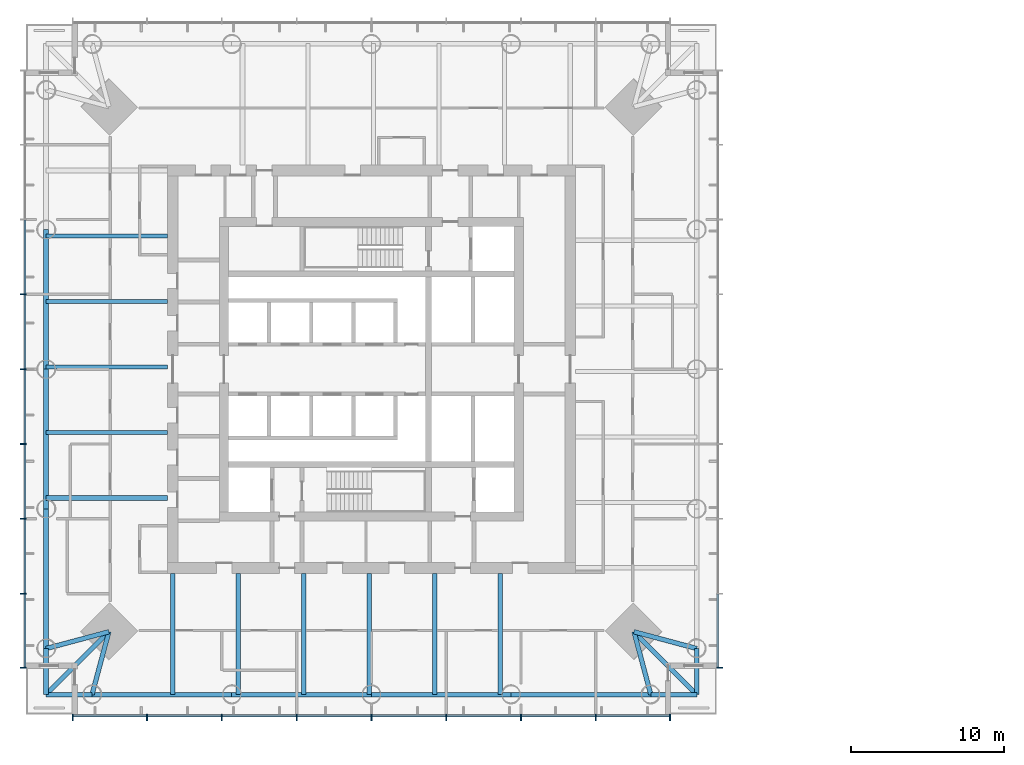
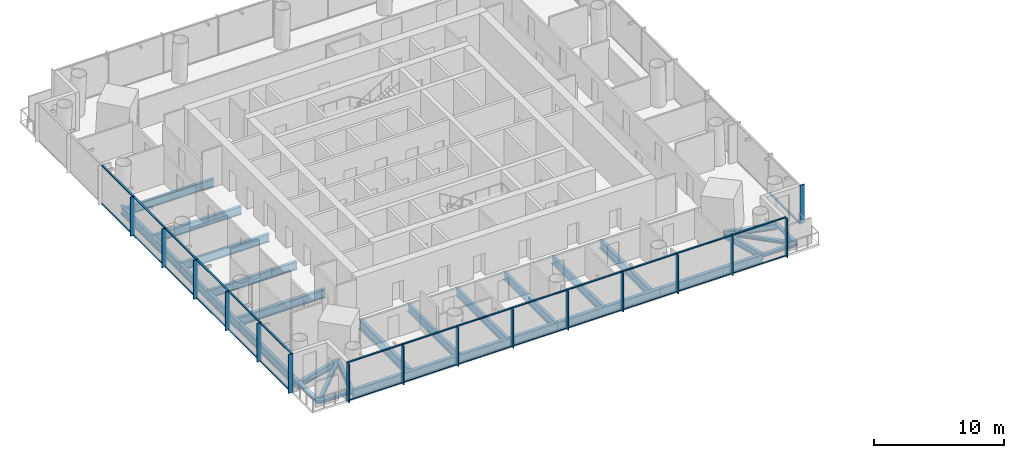
# One storey, part 2 of 20: 45 members, 28 beams, 3 elements without a shape of their own.
"""IFC4 building model written with IfcOpenShell, lengths in metres."""

from ifc_helpers import new_model, si_unit, direction, frame, origin, origin_2d, place, context, subcontext, project, spatial, rectangle, i_section, extrude, material, material_profile, profile_set, type_object, element, aggregate, save


model = new_model("IFC4")

# Units and contexts
model_context = context("Model", 3, precision=1e-05, world=origin(), true_north=direction((0.0, 1.0)))
body_context = subcontext(model_context, "Body", "Model", "MODEL_VIEW")
ifc_project = project(units=[si_unit("LENGTHUNIT", "METRE"), si_unit("AREAUNIT", "SQUARE_METRE"), si_unit("VOLUMEUNIT", "CUBIC_METRE"), si_unit("PLANEANGLEUNIT", "RADIAN"), si_unit("MASSUNIT", "GRAM", prefix="KILO")], contexts=[model_context])

# Site, building, storey
site_placement = place(None, origin())
site = spatial("IfcSite", under=ifc_project, at=site_placement, CompositionType="ELEMENT")
building_placement = place(site_placement, origin())
building = spatial("IfcBuilding", under=site, at=building_placement, Name="Ostroluk Exchange", CompositionType="ELEMENT")
storey_placement = place(building_placement, frame((0.0, 0.0, 108.39990234375)))
storey = spatial("IfcBuildingStorey", under=building, at=storey_placement, Name="L27", CompositionType="ELEMENT", Elevation=108.39990234375)

# Beams
ifc_material_1 = material(Name="Steel S355", Category="steel")
ifc_material_profile_1 = material_profile(ifc_material_1, i_section(OverallWidth=0.300048828125, OverallDepth=0.300048828125, WebThickness=0.010986328125, FlangeThickness=0.01904296875, FilletRadius=0.027099609375, at=origin_2d()), Name="HEB 300")
ifc_profile_set_1 = profile_set([ifc_material_profile_1], Name="Steel S355")
beam_type_1 = type_object("IfcBeamType", Name="Balcony beam HEB 300", PredefinedType="BEAM", material=ifc_profile_set_1)
for number, where, z_axis, x_axis, name in (
    (1, (23.79296875, 27.79296875, -0.329833984375), (0.0, -1.0, 0.0), (1.0, 0.0, 0.0), "T1 west balcony beam a"),
    (2, (26.79296875, 24.79296875, -0.329833984375), (-1.0, 0.0, 0.0), (0.0, -1.0, 0.0), "T1 west balcony beam b"),
):
    element("IfcBeam", number, at=place(storey_placement, frame(where, z_axis=z_axis, x_axis=x_axis)), inside=storey, type_object=beam_type_1, Name=name, PredefinedType="BEAM", context=body_context, shape_type="SweptSolid", body=[
        extrude(i_section(OverallWidth=0.300048828125, OverallDepth=0.300048828125, WebThickness=0.010986328125, FlangeThickness=0.01904296875, FilletRadius=0.027099609375, at=origin_2d()), origin(), (0.0, 0.0, 1.0), 3.0),
    ])
beam_1_placement = place(storey_placement, frame((27.892822265625, 28.892822265625, -0.329833984375), z_axis=(-0.707106781187, -0.707106781187, 0.0), x_axis=(0.707106781187, -0.707106781187, 0.0)))
element("IfcBeam", 3, at=beam_1_placement, inside=storey, type_object=beam_type_1, Name="T1 west balcony beam c", PredefinedType="BEAM", context=body_context, shape_type="SweptSolid", body=[
    extrude(i_section(OverallWidth=0.300048828125, OverallDepth=0.300048828125, WebThickness=0.010986328125, FlangeThickness=0.01904296875, FilletRadius=0.027099609375, at=origin_2d()), origin(), (0.0, 0.0, 1.0), 5.798095703125),
])
for number, where, z_axis, x_axis, name in (
    (4, (63.20703125, 24.79296875, -0.329833984375), (1.0, 0.0, 0.0), (0.0, 1.0, 0.0), "T1 south balcony beam a"),
    (5, (66.20703125, 27.79296875, -0.329833984375), (0.0, -1.0, 0.0), (1.0, 0.0, 0.0), "T1 south balcony beam b"),
):
    element("IfcBeam", number, at=place(storey_placement, frame(where, z_axis=z_axis, x_axis=x_axis)), inside=storey, type_object=beam_type_1, Name=name, PredefinedType="BEAM", context=body_context, shape_type="SweptSolid", body=[
        extrude(i_section(OverallWidth=0.300048828125, OverallDepth=0.300048828125, WebThickness=0.010986328125, FlangeThickness=0.01904296875, FilletRadius=0.027099609375, at=origin_2d()), origin(), (0.0, 0.0, 1.0), 3.0),
    ])
beam_2_placement = place(storey_placement, frame((62.107177734375, 28.892822265625, -0.329833984375), z_axis=(0.707106781187, -0.707106781187, 0.0), x_axis=(0.707106781187, 0.707106781187, 0.0)))
element("IfcBeam", 6, at=beam_2_placement, inside=storey, type_object=beam_type_1, Name="T1 south balcony beam c", PredefinedType="BEAM", context=body_context, shape_type="SweptSolid", body=[
    extrude(i_section(OverallWidth=0.300048828125, OverallDepth=0.300048828125, WebThickness=0.010986328125, FlangeThickness=0.01904296875, FilletRadius=0.027099609375, at=origin_2d()), origin(), (0.0, 0.0, 1.0), 5.798095703125),
])
ifc_material_2 = material(Name="Steel S355", Category="steel")
ifc_material_profile_2 = material_profile(ifc_material_2, i_section(OverallWidth=0.300048828125, OverallDepth=0.550048828125, WebThickness=0.014892578125, FlangeThickness=0.029052734375, FilletRadius=0.027099609375, at=origin_2d()), Name="HEB 550")
ifc_profile_set_2 = profile_set([ifc_material_profile_2], Name="Steel S355")
beam_type_2 = type_object("IfcBeamType", Name="Corner edge beam HEB 550", PredefinedType="SPANDREL", material=ifc_profile_set_2)
for number, where, z_axis, x_axis, name in (
    (7, (27.892822265625, 28.892822265625, -0.454833984375), (-0.965849156574, -0.259105011038, 0.0), (0.259105011038, -0.965849156574, 0.0), "T1 west corner edge beam a"),
    (8, (27.892822265625, 28.892822265625, -0.454833984375), (-0.259105011038, -0.965849156574, 0.0), (0.965849156574, -0.259105011038, 0.0), "T1 west corner edge beam b"),
    (9, (62.107177734375, 28.892822265625, -0.454833984375), (0.259105011038, -0.965849156574, 0.0), (0.965849156574, 0.259105011038, 0.0), "T1 south corner edge beam a"),
    (10, (62.107177734375, 28.892822265625, -0.454833984375), (0.965849156574, -0.259105011038, 0.0), (0.259105011038, 0.965849156574, 0.0), "T1 south corner edge beam b"),
):
    element("IfcBeam", number, at=place(storey_placement, frame(where, z_axis=z_axis, x_axis=x_axis)), inside=storey, type_object=beam_type_2, Name=name, PredefinedType="SPANDREL", context=body_context, shape_type="SweptSolid", body=[
        extrude(i_section(OverallWidth=0.300048828125, OverallDepth=0.550048828125, WebThickness=0.014892578125, FlangeThickness=0.029052734375, FilletRadius=0.027099609375, at=origin_2d()), origin(), (0.0, 0.0, 1.0), 4.244873046875),
    ])
ifc_material_3 = material(Name="Steel S355", Category="steel")
ifc_material_profile_3 = material_profile(ifc_material_3, i_section(OverallWidth=0.302978515625, OverallDepth=0.81396484375, WebThickness=0.02099609375, FlangeThickness=0.0400390625, FilletRadius=0.030029296875, at=origin_2d()), Name="HEM 800")
ifc_profile_set_3 = profile_set([ifc_material_profile_3], Name="Steel S355")
beam_type_3 = type_object("IfcBeamType", Name="Floor beam HEM 800", PredefinedType="BEAM", material=ifc_profile_set_3)
for number, where, z_axis, x_axis, name in (
    (11, (31.699951171875, 37.601806640625, -0.5869140625), (-1.0, 0.0, 0.0), (0.0, -1.0, 0.0), "T1 west floor beam 5"),
    (12, (53.398193359375, 32.699951171875, -0.5869140625), (0.0, -1.0, 0.0), (1.0, 0.0, 0.0), "T1 south floor beam 5"),
):
    element("IfcBeam", number, at=place(storey_placement, frame(where, z_axis=z_axis, x_axis=x_axis)), inside=storey, type_object=beam_type_3, Name=name, PredefinedType="BEAM", context=body_context, shape_type="SweptSolid", body=[
        extrude(i_section(OverallWidth=0.302978515625, OverallDepth=0.81396484375, WebThickness=0.02099609375, FlangeThickness=0.0400390625, FilletRadius=0.030029296875, at=origin_2d()), origin(), (0.0, 0.0, 1.0), 7.906982421875),
    ])
ifc_material_4 = material(Name="Steel S355", Category="steel")
ifc_material_profile_4 = material_profile(ifc_material_4, i_section(OverallWidth=0.26708984375, OverallDepth=0.761962890625, WebThickness=0.014404296875, FlangeThickness=0.021484375, FilletRadius=0.01708984375, at=origin_2d()), Name="IPE 750x173")
ifc_profile_set_4 = profile_set([ifc_material_profile_4], Name="Steel S355")
beam_type_4 = type_object("IfcBeamType", Name="Floor beam IPE 750x173", PredefinedType="BEAM", material=ifc_profile_set_4)
for number, where, z_axis, x_axis, name in (
    (13, (31.699951171875, 54.680419921875, -0.560791015625), (-1.0, 0.0, 0.0), (0.0, -1.0, 0.0), "T1 west floor beam 1"),
    (14, (31.699951171875, 50.41064453125, -0.560791015625), (-1.0, 0.0, 0.0), (0.0, -1.0, 0.0), "T1 west floor beam 2"),
    (15, (31.699951171875, 46.14111328125, -0.560791015625), (-1.0, 0.0, 0.0), (0.0, -1.0, 0.0), "T1 west floor beam 3"),
    (16, (31.699951171875, 41.871337890625, -0.560791015625), (-1.0, 0.0, 0.0), (0.0, -1.0, 0.0), "T1 west floor beam 4"),
    (17, (36.319580078125, 32.699951171875, -0.560791015625), (0.0, -1.0, 0.0), (1.0, 0.0, 0.0), "T1 south floor beam 1"),
    (18, (40.58935546875, 32.699951171875, -0.560791015625), (0.0, -1.0, 0.0), (1.0, 0.0, 0.0), "T1 south floor beam 2"),
    (19, (44.85888671875, 32.699951171875, -0.560791015625), (0.0, -1.0, 0.0), (1.0, 0.0, 0.0), "T1 south floor beam 3"),
    (20, (49.128662109375, 32.699951171875, -0.560791015625), (0.0, -1.0, 0.0), (1.0, 0.0, 0.0), "T1 south floor beam 4"),
):
    element("IfcBeam", number, at=place(storey_placement, frame(where, z_axis=z_axis, x_axis=x_axis)), inside=storey, type_object=beam_type_4, Name=name, PredefinedType="BEAM", context=body_context, shape_type="SweptSolid", body=[
        extrude(i_section(OverallWidth=0.26708984375, OverallDepth=0.761962890625, WebThickness=0.014404296875, FlangeThickness=0.021484375, FilletRadius=0.01708984375, at=origin_2d()), origin(), (0.0, 0.0, 1.0), 7.906982421875),
    ])
ifc_material_5 = material(Name="Steel S355", Category="steel")
ifc_material_profile_5 = material_profile(ifc_material_5, i_section(OverallWidth=0.300048828125, OverallDepth=0.89990234375, WebThickness=0.0185546875, FlangeThickness=0.034912109375, FilletRadius=0.030029296875, at=origin_2d()), Name="HEB 900")
ifc_profile_set_5 = profile_set([ifc_material_profile_5], Name="Steel S355")
beam_type_5 = type_object("IfcBeamType", Name="Girder HEB 900", PredefinedType="BEAM", material=ifc_profile_set_5)
beam_3_placement = place(storey_placement, frame((32.050048828125, 32.699951171875, -0.6298828125), z_axis=(0.0, -1.0, 0.0), x_axis=(1.0, 0.0, 0.0)))
element("IfcBeam", 21, at=beam_3_placement, inside=storey, type_object=beam_type_5, Name="T1 west girder", PredefinedType="BEAM", context=body_context, shape_type="SweptSolid", body=[
    extrude(i_section(OverallWidth=0.300048828125, OverallDepth=0.89990234375, WebThickness=0.0185546875, FlangeThickness=0.034912109375, FilletRadius=0.030029296875, at=origin_2d()), origin(), (0.0, 0.0, 1.0), 7.906982421875),
])
ifc_material_6 = material(Name="Steel S355", Category="steel")
ifc_material_profile_6 = material_profile(ifc_material_6, i_section(OverallWidth=0.300048828125, OverallDepth=0.800048828125, WebThickness=0.017578125, FlangeThickness=0.032958984375, FilletRadius=0.030029296875, at=origin_2d()), Name="HEB 800")
ifc_profile_set_6 = profile_set([ifc_material_profile_6], Name="Steel S355")
beam_type_6 = type_object("IfcBeamType", Name="Moment-connected edge beam HEB 800", PredefinedType="SPANDREL", material=ifc_profile_set_6)
for number, where, z_axis, x_axis, name in (
    (22, (23.79296875, 55.103515625, -0.579833984375), (0.0, -1.0, 0.0), (1.0, 0.0, 0.0), "T1 west edge beam 2"),
    (23, (23.79296875, 46.0, -0.579833984375), (0.0, -1.0, 0.0), (1.0, 0.0, 0.0), "T1 west edge beam 3"),
    (24, (23.79296875, 36.896484375, -0.579833984375), (0.0, -1.0, 0.0), (1.0, 0.0, 0.0), "T1 west edge beam 4"),
    (25, (26.79296875, 24.79296875, -0.579833984375), (1.0, 0.0, 0.0), (0.0, 1.0, 0.0), "T1 south edge beam 1"),
    (26, (35.896484375, 24.79296875, -0.579833984375), (1.0, 0.0, 0.0), (0.0, 1.0, 0.0), "T1 south edge beam 2"),
    (27, (45.0, 24.79296875, -0.579833984375), (1.0, 0.0, 0.0), (0.0, 1.0, 0.0), "T1 south edge beam 3"),
    (28, (54.103515625, 24.79296875, -0.579833984375), (1.0, 0.0, 0.0), (0.0, 1.0, 0.0), "T1 south edge beam 4"),
):
    element("IfcBeam", number, at=place(storey_placement, frame(where, z_axis=z_axis, x_axis=x_axis)), inside=storey, type_object=beam_type_6, Name=name, PredefinedType="SPANDREL", context=body_context, shape_type="SweptSolid", body=[
        extrude(i_section(OverallWidth=0.300048828125, OverallDepth=0.800048828125, WebThickness=0.017578125, FlangeThickness=0.032958984375, FilletRadius=0.030029296875, at=origin_2d()), origin(), (0.0, 0.0, 1.0), 9.103515625),
    ])

# Curtain wall, members
ifc_material_7 = material(Name="Laminated clear glass", Category="glass")
curtain_wall_type = type_object("IfcCurtainWallType", Name="Office tower facade", PredefinedType="USERDEFINED", material=ifc_material_7)
curtain_wall_1_placement = place(storey_placement, origin())
curtain_wall_1 = element("IfcCurtainWall", 29, at=curtain_wall_1_placement, inside=storey, type_object=curtain_wall_type, Name="Office tower south facade L27", ObjectType="UNITISED CURTAIN WALL", PredefinedType="USERDEFINED")
ifc_material_8 = material(Name="Aluminium mullion", Category="aluminium")
ifc_material_profile_7 = material_profile(ifc_material_8, rectangle(XDim=0.14990234375, YDim=0.080078125, at=origin_2d()), Name="Sill transom 80 x 150")
ifc_profile_set_7 = profile_set([ifc_material_profile_7], Name="Aluminium mullion")
member_type_1 = type_object("IfcMemberType", Name="Sill transom 80 x 150", PredefinedType="USERDEFINED", material=ifc_profile_set_7)
member_1_placement = place(storey_placement, frame((25.580078125, 23.425048828125, 0.0400390625), z_axis=(1.0, 0.0, 0.0), x_axis=(0.0, 1.0, 0.0)))
member_1 = element("IfcMember", 30, at=member_1_placement, type_object=member_type_1, Name="CW-O1 transom 1.1", ObjectType="TRANSOM", PredefinedType="USERDEFINED", context=body_context, shape_type="SweptSolid", body=[
    extrude(rectangle(XDim=0.14990234375, YDim=0.080078125, at=origin_2d()), origin(), (0.0, 0.0, 1.0), 4.7548828125),
])
member_2_placement = place(storey_placement, frame((25.580078125, 23.425048828125, 3.610107421875), z_axis=(1.0, 0.0, 0.0), x_axis=(0.0, 1.0, 0.0)))
member_2 = element("IfcMember", 31, at=member_2_placement, type_object=member_type_1, Name="CW-O1 transom 1.2", ObjectType="TRANSOM", PredefinedType="USERDEFINED", context=body_context, shape_type="SweptSolid", body=[
    extrude(rectangle(XDim=0.14990234375, YDim=0.080078125, at=origin_2d()), origin(), (0.0, 0.0, 1.0), 4.7548828125),
])
member_3_placement = place(storey_placement, frame((30.4150390625, 23.425048828125, 0.0400390625), z_axis=(1.0, 0.0, 0.0), x_axis=(0.0, 1.0, 0.0)))
member_3 = element("IfcMember", 32, at=member_3_placement, type_object=member_type_1, Name="CW-O1 transom 2.1", ObjectType="TRANSOM", PredefinedType="USERDEFINED", context=body_context, shape_type="SweptSolid", body=[
    extrude(rectangle(XDim=0.14990234375, YDim=0.080078125, at=origin_2d()), origin(), (0.0, 0.0, 1.0), 4.794921875),
])
member_4_placement = place(storey_placement, frame((30.4150390625, 23.425048828125, 3.610107421875), z_axis=(1.0, 0.0, 0.0), x_axis=(0.0, 1.0, 0.0)))
member_4 = element("IfcMember", 33, at=member_4_placement, type_object=member_type_1, Name="CW-O1 transom 2.2", ObjectType="TRANSOM", PredefinedType="USERDEFINED", context=body_context, shape_type="SweptSolid", body=[
    extrude(rectangle(XDim=0.14990234375, YDim=0.080078125, at=origin_2d()), origin(), (0.0, 0.0, 1.0), 4.794921875),
])
member_5_placement = place(storey_placement, frame((35.2900390625, 23.425048828125, 0.0400390625), z_axis=(1.0, 0.0, 0.0), x_axis=(0.0, 1.0, 0.0)))
member_5 = element("IfcMember", 34, at=member_5_placement, type_object=member_type_1, Name="CW-O1 transom 3.1", ObjectType="TRANSOM", PredefinedType="USERDEFINED", context=body_context, shape_type="SweptSolid", body=[
    extrude(rectangle(XDim=0.14990234375, YDim=0.080078125, at=origin_2d()), origin(), (0.0, 0.0, 1.0), 4.794921875),
])
member_6_placement = place(storey_placement, frame((35.2900390625, 23.425048828125, 3.610107421875), z_axis=(1.0, 0.0, 0.0), x_axis=(0.0, 1.0, 0.0)))
member_6 = element("IfcMember", 35, at=member_6_placement, type_object=member_type_1, Name="CW-O1 transom 3.2", ObjectType="TRANSOM", PredefinedType="USERDEFINED", context=body_context, shape_type="SweptSolid", body=[
    extrude(rectangle(XDim=0.14990234375, YDim=0.080078125, at=origin_2d()), origin(), (0.0, 0.0, 1.0), 4.794921875),
])
member_7_placement = place(storey_placement, frame((40.1650390625, 23.425048828125, 0.0400390625), z_axis=(1.0, 0.0, 0.0), x_axis=(0.0, 1.0, 0.0)))
member_7 = element("IfcMember", 36, at=member_7_placement, type_object=member_type_1, Name="CW-O1 transom 4.1", ObjectType="TRANSOM", PredefinedType="USERDEFINED", context=body_context, shape_type="SweptSolid", body=[
    extrude(rectangle(XDim=0.14990234375, YDim=0.080078125, at=origin_2d()), origin(), (0.0, 0.0, 1.0), 4.794921875),
])
member_8_placement = place(storey_placement, frame((40.1650390625, 23.425048828125, 3.610107421875), z_axis=(1.0, 0.0, 0.0), x_axis=(0.0, 1.0, 0.0)))
member_8 = element("IfcMember", 37, at=member_8_placement, type_object=member_type_1, Name="CW-O1 transom 4.2", ObjectType="TRANSOM", PredefinedType="USERDEFINED", context=body_context, shape_type="SweptSolid", body=[
    extrude(rectangle(XDim=0.14990234375, YDim=0.080078125, at=origin_2d()), origin(), (0.0, 0.0, 1.0), 4.794921875),
])
member_9_placement = place(storey_placement, frame((45.0400390625, 23.425048828125, 0.0400390625), z_axis=(1.0, 0.0, 0.0), x_axis=(0.0, 1.0, 0.0)))
member_9 = element("IfcMember", 38, at=member_9_placement, type_object=member_type_1, Name="CW-O1 transom 5.1", ObjectType="TRANSOM", PredefinedType="USERDEFINED", context=body_context, shape_type="SweptSolid", body=[
    extrude(rectangle(XDim=0.14990234375, YDim=0.080078125, at=origin_2d()), origin(), (0.0, 0.0, 1.0), 4.794921875),
])
member_10_placement = place(storey_placement, frame((45.0400390625, 23.425048828125, 3.610107421875), z_axis=(1.0, 0.0, 0.0), x_axis=(0.0, 1.0, 0.0)))
member_10 = element("IfcMember", 39, at=member_10_placement, type_object=member_type_1, Name="CW-O1 transom 5.2", ObjectType="TRANSOM", PredefinedType="USERDEFINED", context=body_context, shape_type="SweptSolid", body=[
    extrude(rectangle(XDim=0.14990234375, YDim=0.080078125, at=origin_2d()), origin(), (0.0, 0.0, 1.0), 4.794921875),
])
member_11_placement = place(storey_placement, frame((49.9150390625, 23.425048828125, 0.0400390625), z_axis=(1.0, 0.0, 0.0), x_axis=(0.0, 1.0, 0.0)))
member_11 = element("IfcMember", 40, at=member_11_placement, type_object=member_type_1, Name="CW-O1 transom 6.1", ObjectType="TRANSOM", PredefinedType="USERDEFINED", context=body_context, shape_type="SweptSolid", body=[
    extrude(rectangle(XDim=0.14990234375, YDim=0.080078125, at=origin_2d()), origin(), (0.0, 0.0, 1.0), 4.794921875),
])
member_12_placement = place(storey_placement, frame((49.9150390625, 23.425048828125, 3.610107421875), z_axis=(1.0, 0.0, 0.0), x_axis=(0.0, 1.0, 0.0)))
member_12 = element("IfcMember", 41, at=member_12_placement, type_object=member_type_1, Name="CW-O1 transom 6.2", ObjectType="TRANSOM", PredefinedType="USERDEFINED", context=body_context, shape_type="SweptSolid", body=[
    extrude(rectangle(XDim=0.14990234375, YDim=0.080078125, at=origin_2d()), origin(), (0.0, 0.0, 1.0), 4.794921875),
])
member_13_placement = place(storey_placement, frame((54.7900390625, 23.425048828125, 0.0400390625), z_axis=(1.0, 0.0, 0.0), x_axis=(0.0, 1.0, 0.0)))
member_13 = element("IfcMember", 42, at=member_13_placement, type_object=member_type_1, Name="CW-O1 transom 7.1", ObjectType="TRANSOM", PredefinedType="USERDEFINED", context=body_context, shape_type="SweptSolid", body=[
    extrude(rectangle(XDim=0.14990234375, YDim=0.080078125, at=origin_2d()), origin(), (0.0, 0.0, 1.0), 4.794921875),
])
member_14_placement = place(storey_placement, frame((54.7900390625, 23.425048828125, 3.610107421875), z_axis=(1.0, 0.0, 0.0), x_axis=(0.0, 1.0, 0.0)))
member_14 = element("IfcMember", 43, at=member_14_placement, type_object=member_type_1, Name="CW-O1 transom 7.2", ObjectType="TRANSOM", PredefinedType="USERDEFINED", context=body_context, shape_type="SweptSolid", body=[
    extrude(rectangle(XDim=0.14990234375, YDim=0.080078125, at=origin_2d()), origin(), (0.0, 0.0, 1.0), 4.794921875),
])
member_15_placement = place(storey_placement, frame((59.6650390625, 23.425048828125, 0.0400390625), z_axis=(1.0, 0.0, 0.0), x_axis=(0.0, 1.0, 0.0)))
member_15 = element("IfcMember", 44, at=member_15_placement, type_object=member_type_1, Name="CW-O1 transom 8.1", ObjectType="TRANSOM", PredefinedType="USERDEFINED", context=body_context, shape_type="SweptSolid", body=[
    extrude(rectangle(XDim=0.14990234375, YDim=0.080078125, at=origin_2d()), origin(), (0.0, 0.0, 1.0), 4.7548828125),
])
member_16_placement = place(storey_placement, frame((59.6650390625, 23.425048828125, 3.610107421875), z_axis=(1.0, 0.0, 0.0), x_axis=(0.0, 1.0, 0.0)))
member_16 = element("IfcMember", 45, at=member_16_placement, type_object=member_type_1, Name="CW-O1 transom 8.2", ObjectType="TRANSOM", PredefinedType="USERDEFINED", context=body_context, shape_type="SweptSolid", body=[
    extrude(rectangle(XDim=0.14990234375, YDim=0.080078125, at=origin_2d()), origin(), (0.0, 0.0, 1.0), 4.7548828125),
])

# Curtain wall, member
curtain_wall_2_placement = place(storey_placement, origin())
curtain_wall_2 = element("IfcCurtainWall", 46, at=curtain_wall_2_placement, inside=storey, type_object=curtain_wall_type, Name="Office tower east facade L27", ObjectType="UNITISED CURTAIN WALL", PredefinedType="USERDEFINED")
member_17_placement = place(storey_placement, frame((67.574951171875, 26.580078125, 0.0400390625), z_axis=(0.0, 1.0, 0.0), x_axis=(-1.0, 0.0, 0.0)))
member_17 = element("IfcMember", 47, at=member_17_placement, type_object=member_type_1, Name="CW-O1 transom 1.1", ObjectType="TRANSOM", PredefinedType="USERDEFINED", context=body_context, shape_type="SweptSolid", body=[
    extrude(rectangle(XDim=0.14990234375, YDim=0.080078125, at=origin_2d()), origin(), (0.0, 0.0, 1.0), 4.7548828125),
])

# Curtain wall, members
curtain_wall_3_placement = place(storey_placement, origin())
curtain_wall_3 = element("IfcCurtainWall", 48, at=curtain_wall_3_placement, inside=storey, type_object=curtain_wall_type, Name="Office tower west facade L27", ObjectType="UNITISED CURTAIN WALL", PredefinedType="USERDEFINED")
member_18_placement = place(storey_placement, frame((22.425048828125, 55.7099609375, 0.0400390625), z_axis=(0.0, -1.0, 0.0), x_axis=(1.0, 0.0, 0.0)))
member_18 = element("IfcMember", 49, at=member_18_placement, type_object=member_type_1, Name="CW-O1 transom 3.1", ObjectType="TRANSOM", PredefinedType="USERDEFINED", context=body_context, shape_type="SweptSolid", body=[
    extrude(rectangle(XDim=0.14990234375, YDim=0.080078125, at=origin_2d()), origin(), (0.0, 0.0, 1.0), 4.794921875),
])
member_19_placement = place(storey_placement, frame((22.425048828125, 55.7099609375, 3.610107421875), z_axis=(0.0, -1.0, 0.0), x_axis=(1.0, 0.0, 0.0)))
member_19 = element("IfcMember", 50, at=member_19_placement, type_object=member_type_1, Name="CW-O1 transom 3.2", ObjectType="TRANSOM", PredefinedType="USERDEFINED", context=body_context, shape_type="SweptSolid", body=[
    extrude(rectangle(XDim=0.14990234375, YDim=0.080078125, at=origin_2d()), origin(), (0.0, 0.0, 1.0), 4.794921875),
])
member_20_placement = place(storey_placement, frame((22.425048828125, 50.8349609375, 0.0400390625), z_axis=(0.0, -1.0, 0.0), x_axis=(1.0, 0.0, 0.0)))
member_20 = element("IfcMember", 51, at=member_20_placement, type_object=member_type_1, Name="CW-O1 transom 4.1", ObjectType="TRANSOM", PredefinedType="USERDEFINED", context=body_context, shape_type="SweptSolid", body=[
    extrude(rectangle(XDim=0.14990234375, YDim=0.080078125, at=origin_2d()), origin(), (0.0, 0.0, 1.0), 4.794921875),
])
member_21_placement = place(storey_placement, frame((22.425048828125, 50.8349609375, 3.610107421875), z_axis=(0.0, -1.0, 0.0), x_axis=(1.0, 0.0, 0.0)))
member_21 = element("IfcMember", 52, at=member_21_placement, type_object=member_type_1, Name="CW-O1 transom 4.2", ObjectType="TRANSOM", PredefinedType="USERDEFINED", context=body_context, shape_type="SweptSolid", body=[
    extrude(rectangle(XDim=0.14990234375, YDim=0.080078125, at=origin_2d()), origin(), (0.0, 0.0, 1.0), 4.794921875),
])
member_22_placement = place(storey_placement, frame((22.425048828125, 45.9599609375, 0.0400390625), z_axis=(0.0, -1.0, 0.0), x_axis=(1.0, 0.0, 0.0)))
member_22 = element("IfcMember", 53, at=member_22_placement, type_object=member_type_1, Name="CW-O1 transom 5.1", ObjectType="TRANSOM", PredefinedType="USERDEFINED", context=body_context, shape_type="SweptSolid", body=[
    extrude(rectangle(XDim=0.14990234375, YDim=0.080078125, at=origin_2d()), origin(), (0.0, 0.0, 1.0), 4.794921875),
])
member_23_placement = place(storey_placement, frame((22.425048828125, 45.9599609375, 3.610107421875), z_axis=(0.0, -1.0, 0.0), x_axis=(1.0, 0.0, 0.0)))
member_23 = element("IfcMember", 54, at=member_23_placement, type_object=member_type_1, Name="CW-O1 transom 5.2", ObjectType="TRANSOM", PredefinedType="USERDEFINED", context=body_context, shape_type="SweptSolid", body=[
    extrude(rectangle(XDim=0.14990234375, YDim=0.080078125, at=origin_2d()), origin(), (0.0, 0.0, 1.0), 4.794921875),
])
member_24_placement = place(storey_placement, frame((22.425048828125, 41.0849609375, 0.0400390625), z_axis=(0.0, -1.0, 0.0), x_axis=(1.0, 0.0, 0.0)))
member_24 = element("IfcMember", 55, at=member_24_placement, type_object=member_type_1, Name="CW-O1 transom 6.1", ObjectType="TRANSOM", PredefinedType="USERDEFINED", context=body_context, shape_type="SweptSolid", body=[
    extrude(rectangle(XDim=0.14990234375, YDim=0.080078125, at=origin_2d()), origin(), (0.0, 0.0, 1.0), 4.794921875),
])
member_25_placement = place(storey_placement, frame((22.425048828125, 41.0849609375, 3.610107421875), z_axis=(0.0, -1.0, 0.0), x_axis=(1.0, 0.0, 0.0)))
member_25 = element("IfcMember", 56, at=member_25_placement, type_object=member_type_1, Name="CW-O1 transom 6.2", ObjectType="TRANSOM", PredefinedType="USERDEFINED", context=body_context, shape_type="SweptSolid", body=[
    extrude(rectangle(XDim=0.14990234375, YDim=0.080078125, at=origin_2d()), origin(), (0.0, 0.0, 1.0), 4.794921875),
])
member_26_placement = place(storey_placement, frame((22.425048828125, 36.2099609375, 0.0400390625), z_axis=(0.0, -1.0, 0.0), x_axis=(1.0, 0.0, 0.0)))
member_26 = element("IfcMember", 57, at=member_26_placement, type_object=member_type_1, Name="CW-O1 transom 7.1", ObjectType="TRANSOM", PredefinedType="USERDEFINED", context=body_context, shape_type="SweptSolid", body=[
    extrude(rectangle(XDim=0.14990234375, YDim=0.080078125, at=origin_2d()), origin(), (0.0, 0.0, 1.0), 4.794921875),
])
member_27_placement = place(storey_placement, frame((22.425048828125, 36.2099609375, 3.610107421875), z_axis=(0.0, -1.0, 0.0), x_axis=(1.0, 0.0, 0.0)))
member_27 = element("IfcMember", 58, at=member_27_placement, type_object=member_type_1, Name="CW-O1 transom 7.2", ObjectType="TRANSOM", PredefinedType="USERDEFINED", context=body_context, shape_type="SweptSolid", body=[
    extrude(rectangle(XDim=0.14990234375, YDim=0.080078125, at=origin_2d()), origin(), (0.0, 0.0, 1.0), 4.794921875),
])
member_28_placement = place(storey_placement, frame((22.425048828125, 31.3349609375, 0.0400390625), z_axis=(0.0, -1.0, 0.0), x_axis=(1.0, 0.0, 0.0)))
member_28 = element("IfcMember", 59, at=member_28_placement, type_object=member_type_1, Name="CW-O1 transom 8.1", ObjectType="TRANSOM", PredefinedType="USERDEFINED", context=body_context, shape_type="SweptSolid", body=[
    extrude(rectangle(XDim=0.14990234375, YDim=0.080078125, at=origin_2d()), origin(), (0.0, 0.0, 1.0), 4.7548828125),
])
member_29_placement = place(storey_placement, frame((22.425048828125, 31.3349609375, 3.610107421875), z_axis=(0.0, -1.0, 0.0), x_axis=(1.0, 0.0, 0.0)))
member_29 = element("IfcMember", 60, at=member_29_placement, type_object=member_type_1, Name="CW-O1 transom 8.2", ObjectType="TRANSOM", PredefinedType="USERDEFINED", context=body_context, shape_type="SweptSolid", body=[
    extrude(rectangle(XDim=0.14990234375, YDim=0.080078125, at=origin_2d()), origin(), (0.0, 0.0, 1.0), 4.7548828125),
])

# Member
ifc_material_9 = material(Name="Aluminium mullion with limestone facing", Category="masonry")
ifc_material_profile_8 = material_profile(ifc_material_9, rectangle(XDim=0.39990234375, YDim=0.080078125, at=origin_2d()), Name="Tracery mullion 80 x 400")
ifc_profile_set_8 = profile_set([ifc_material_profile_8], Name="Aluminium mullion with limestone facing")
member_type_2 = type_object("IfcMemberType", Name="Tracery mullion 80 x 400", PredefinedType="MULLION", material=ifc_profile_set_8)
member_30_placement = place(storey_placement, frame((25.5400390625, 23.300048828125, 0.0), z_axis=(0.0, 0.0, 1.0), x_axis=(0.0, 1.0, 0.0)))
member_30 = element("IfcMember", 61, at=member_30_placement, type_object=member_type_2, Name="CW-O1 mullion 1", PredefinedType="MULLION", context=body_context, shape_type="SweptSolid", body=[
    extrude(rectangle(XDim=0.39990234375, YDim=0.080078125, at=origin_2d()), origin(), (0.0, 0.0, 1.0), 3.650146484375),
])

member_31_placement = place(storey_placement, frame((30.375, 23.300048828125, 0.0), z_axis=(0.0, 0.0, 1.0), x_axis=(0.0, 1.0, 0.0)))
member_31 = element("IfcMember", 62, at=member_31_placement, type_object=member_type_2, Name="CW-O1 mullion 2", PredefinedType="MULLION", context=body_context, shape_type="SweptSolid", body=[
    extrude(rectangle(XDim=0.39990234375, YDim=0.080078125, at=origin_2d()), origin(), (0.0, 0.0, 1.0), 3.650146484375),
])

member_32_placement = place(storey_placement, frame((35.25, 23.300048828125, 0.0), z_axis=(0.0, 0.0, 1.0), x_axis=(0.0, 1.0, 0.0)))
member_32 = element("IfcMember", 63, at=member_32_placement, type_object=member_type_2, Name="CW-O1 mullion 3", PredefinedType="MULLION", context=body_context, shape_type="SweptSolid", body=[
    extrude(rectangle(XDim=0.39990234375, YDim=0.080078125, at=origin_2d()), origin(), (0.0, 0.0, 1.0), 3.650146484375),
])

member_33_placement = place(storey_placement, frame((40.125, 23.300048828125, 0.0), z_axis=(0.0, 0.0, 1.0), x_axis=(0.0, 1.0, 0.0)))
member_33 = element("IfcMember", 64, at=member_33_placement, type_object=member_type_2, Name="CW-O1 mullion 4", PredefinedType="MULLION", context=body_context, shape_type="SweptSolid", body=[
    extrude(rectangle(XDim=0.39990234375, YDim=0.080078125, at=origin_2d()), origin(), (0.0, 0.0, 1.0), 3.650146484375),
])

member_34_placement = place(storey_placement, frame((45.0, 23.300048828125, 0.0), z_axis=(0.0, 0.0, 1.0), x_axis=(0.0, 1.0, 0.0)))
member_34 = element("IfcMember", 65, at=member_34_placement, type_object=member_type_2, Name="CW-O1 mullion 5", PredefinedType="MULLION", context=body_context, shape_type="SweptSolid", body=[
    extrude(rectangle(XDim=0.39990234375, YDim=0.080078125, at=origin_2d()), origin(), (0.0, 0.0, 1.0), 3.650146484375),
])

member_35_placement = place(storey_placement, frame((49.875, 23.300048828125, 0.0), z_axis=(0.0, 0.0, 1.0), x_axis=(0.0, 1.0, 0.0)))
member_35 = element("IfcMember", 66, at=member_35_placement, type_object=member_type_2, Name="CW-O1 mullion 6", PredefinedType="MULLION", context=body_context, shape_type="SweptSolid", body=[
    extrude(rectangle(XDim=0.39990234375, YDim=0.080078125, at=origin_2d()), origin(), (0.0, 0.0, 1.0), 3.650146484375),
])

member_36_placement = place(storey_placement, frame((54.75, 23.300048828125, 0.0), z_axis=(0.0, 0.0, 1.0), x_axis=(0.0, 1.0, 0.0)))
member_36 = element("IfcMember", 67, at=member_36_placement, type_object=member_type_2, Name="CW-O1 mullion 7", PredefinedType="MULLION", context=body_context, shape_type="SweptSolid", body=[
    extrude(rectangle(XDim=0.39990234375, YDim=0.080078125, at=origin_2d()), origin(), (0.0, 0.0, 1.0), 3.650146484375),
])

member_37_placement = place(storey_placement, frame((59.625, 23.300048828125, 0.0), z_axis=(0.0, 0.0, 1.0), x_axis=(0.0, 1.0, 0.0)))
member_37 = element("IfcMember", 68, at=member_37_placement, type_object=member_type_2, Name="CW-O1 mullion 8", PredefinedType="MULLION", context=body_context, shape_type="SweptSolid", body=[
    extrude(rectangle(XDim=0.39990234375, YDim=0.080078125, at=origin_2d()), origin(), (0.0, 0.0, 1.0), 3.650146484375),
])

member_38_placement = place(storey_placement, frame((64.4599609375, 23.300048828125, 0.0), z_axis=(0.0, 0.0, 1.0), x_axis=(0.0, 1.0, 0.0)))
member_38 = element("IfcMember", 69, at=member_38_placement, type_object=member_type_2, Name="CW-O1 mullion 9", PredefinedType="MULLION", context=body_context, shape_type="SweptSolid", body=[
    extrude(rectangle(XDim=0.39990234375, YDim=0.080078125, at=origin_2d()), origin(), (0.0, 0.0, 1.0), 3.650146484375),
])

aggregate(curtain_wall_1, [member_30, member_31, member_32, member_33, member_34, member_35, member_36, member_37, member_38, member_1, member_2, member_3, member_4, member_5, member_6, member_7, member_8, member_9, member_10, member_11, member_12, member_13, member_14, member_15, member_16])

member_39_placement = place(storey_placement, frame((67.699951171875, 26.5400390625, 0.0), z_axis=(0.0, 0.0, 1.0), x_axis=(-1.0, 0.0, 0.0)))
member_39 = element("IfcMember", 70, at=member_39_placement, type_object=member_type_2, Name="CW-O1 mullion 1", PredefinedType="MULLION", context=body_context, shape_type="SweptSolid", body=[
    extrude(rectangle(XDim=0.39990234375, YDim=0.080078125, at=origin_2d()), origin(), (0.0, 0.0, 1.0), 3.650146484375),
])

aggregate(curtain_wall_2, [member_39, member_17])

member_40_placement = place(storey_placement, frame((22.300048828125, 50.875, 0.0), z_axis=(0.0, 0.0, 1.0), x_axis=(1.0, 0.0, 0.0)))
member_40 = element("IfcMember", 71, at=member_40_placement, type_object=member_type_2, Name="CW-O1 mullion 4", PredefinedType="MULLION", context=body_context, shape_type="SweptSolid", body=[
    extrude(rectangle(XDim=0.39990234375, YDim=0.080078125, at=origin_2d()), origin(), (0.0, 0.0, 1.0), 3.650146484375),
])

member_41_placement = place(storey_placement, frame((22.300048828125, 46.0, 0.0), z_axis=(0.0, 0.0, 1.0), x_axis=(1.0, 0.0, 0.0)))
member_41 = element("IfcMember", 72, at=member_41_placement, type_object=member_type_2, Name="CW-O1 mullion 5", PredefinedType="MULLION", context=body_context, shape_type="SweptSolid", body=[
    extrude(rectangle(XDim=0.39990234375, YDim=0.080078125, at=origin_2d()), origin(), (0.0, 0.0, 1.0), 3.650146484375),
])

member_42_placement = place(storey_placement, frame((22.300048828125, 41.125, 0.0), z_axis=(0.0, 0.0, 1.0), x_axis=(1.0, 0.0, 0.0)))
member_42 = element("IfcMember", 73, at=member_42_placement, type_object=member_type_2, Name="CW-O1 mullion 6", PredefinedType="MULLION", context=body_context, shape_type="SweptSolid", body=[
    extrude(rectangle(XDim=0.39990234375, YDim=0.080078125, at=origin_2d()), origin(), (0.0, 0.0, 1.0), 3.650146484375),
])

member_43_placement = place(storey_placement, frame((22.300048828125, 36.25, 0.0), z_axis=(0.0, 0.0, 1.0), x_axis=(1.0, 0.0, 0.0)))
member_43 = element("IfcMember", 74, at=member_43_placement, type_object=member_type_2, Name="CW-O1 mullion 7", PredefinedType="MULLION", context=body_context, shape_type="SweptSolid", body=[
    extrude(rectangle(XDim=0.39990234375, YDim=0.080078125, at=origin_2d()), origin(), (0.0, 0.0, 1.0), 3.650146484375),
])

member_44_placement = place(storey_placement, frame((22.300048828125, 31.375, 0.0), z_axis=(0.0, 0.0, 1.0), x_axis=(1.0, 0.0, 0.0)))
member_44 = element("IfcMember", 75, at=member_44_placement, type_object=member_type_2, Name="CW-O1 mullion 8", PredefinedType="MULLION", context=body_context, shape_type="SweptSolid", body=[
    extrude(rectangle(XDim=0.39990234375, YDim=0.080078125, at=origin_2d()), origin(), (0.0, 0.0, 1.0), 3.650146484375),
])

member_45_placement = place(storey_placement, frame((22.300048828125, 26.5400390625, 0.0), z_axis=(0.0, 0.0, 1.0), x_axis=(1.0, 0.0, 0.0)))
member_45 = element("IfcMember", 76, at=member_45_placement, type_object=member_type_2, Name="CW-O1 mullion 9", PredefinedType="MULLION", context=body_context, shape_type="SweptSolid", body=[
    extrude(rectangle(XDim=0.39990234375, YDim=0.080078125, at=origin_2d()), origin(), (0.0, 0.0, 1.0), 3.650146484375),
])

aggregate(curtain_wall_3, [member_40, member_41, member_42, member_43, member_44, member_45, member_18, member_19, member_20, member_21, member_22, member_23, member_24, member_25, member_26, member_27, member_28, member_29])

save(model, "model.ifc")
